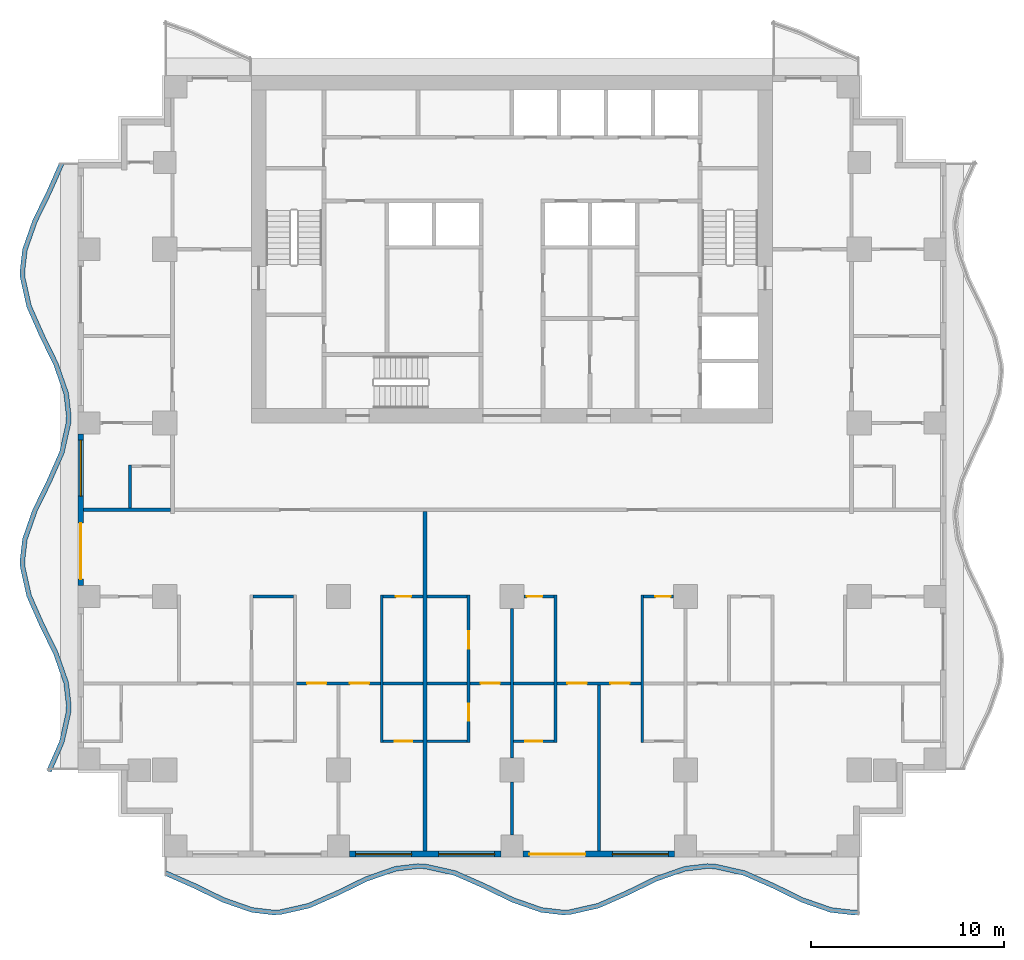
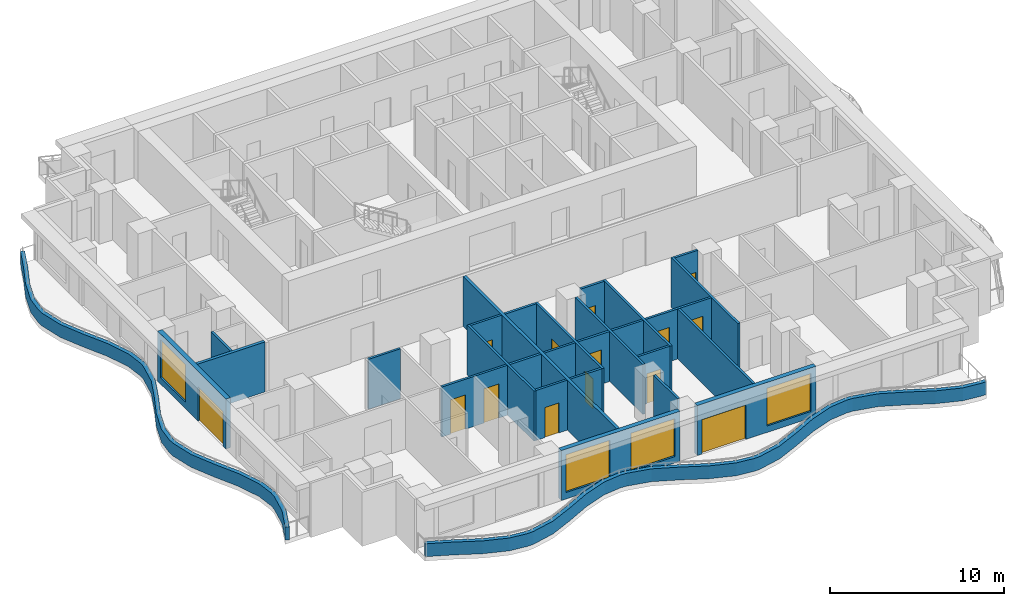
# One storey, part 2 of 10: 29 walls, 14 doors, 4 windows, 18 openings.
"""IFC4 building model written with IfcOpenShell, lengths in metres."""

from ifc_helpers import new_model, si_unit, direction, frame, frame_2d, origin, place, context, subcontext, project, spatial, polyline, rectangle, outline, extrude, material, layer, layer_set, type_object, element, fill, save


model = new_model("IFC4")

# Units and contexts
model_context = context("Model", 3, precision=1e-05, world=origin(), true_north=direction((0.0, 1.0)))
body_context = subcontext(model_context, "Body", "Model", "MODEL_VIEW")
ifc_project = project(units=[si_unit("LENGTHUNIT", "METRE"), si_unit("AREAUNIT", "SQUARE_METRE"), si_unit("VOLUMEUNIT", "CUBIC_METRE"), si_unit("PLANEANGLEUNIT", "RADIAN"), si_unit("MASSUNIT", "GRAM", prefix="KILO")], contexts=[model_context])

# Site, building, storey
site_placement = place(None, origin())
site = spatial("IfcSite", under=ifc_project, at=site_placement, CompositionType="ELEMENT")
building_placement = place(site_placement, origin())
building = spatial("IfcBuilding", under=site, at=building_placement, Name="Orbiselva Terraces", CompositionType="ELEMENT")
storey_placement = place(building_placement, frame((0.0, 0.0, 140.2)))
storey = spatial("IfcBuildingStorey", under=building, at=storey_placement, Name="L35", CompositionType="ELEMENT", Elevation=140.2)

# Walls
ifc_material_1 = material(Name="Concrete C40/50", Category="concrete")
ifc_layer_1 = layer(ifc_material_1, 0.25)
ifc_layer_set_1 = layer_set([ifc_layer_1], Name="Concrete C40/50")
wall_type_1 = type_object("IfcWallType", Name="ENV-PLANTER-250x900", PredefinedType="USERDEFINED", material=ifc_layer_set_1)
wall_1_placement = place(storey_placement, origin())
element("IfcWall", 1, at=wall_1_placement, inside=storey, type_object=wall_type_1, Name="Balcony planter L35 S", ObjectType="PLANTER", PredefinedType="USERDEFINED", context=body_context, shape_type="SweptSolid", body=[
    extrude(outline(polyline([(-18.0, -18.951472), (-16.5, -19.612279), (-15.0, -20.344789), (-13.5, -20.869208), (-12.375, -21.0), (-12.0, -20.985226), (-10.5, -20.648528), (-9.0, -19.987721), (-7.5, -19.255211), (-6.0, -18.730792), (-4.875, -18.6), (-4.5, -18.614774), (-3.0, -18.951472), (-1.5, -19.612279), (0.0, -20.344789), (1.5, -20.869208), (2.625, -21.0), (3.0, -20.985226), (4.5, -20.648528), (6.0, -19.987721), (7.5, -19.255211), (9.0, -18.730792), (10.125, -18.6), (10.5, -18.614774), (12.0, -18.951472), (13.5, -19.612279), (15.0, -20.344789), (16.5, -20.869208), (17.625, -21.0), (18.0, -20.985226), (17.990158, -20.73542), (17.634572, -20.749429), (16.556371, -20.624078), (15.09644, -20.113667), (13.605286, -19.385477), (12.078508, -18.712874), (10.532565, -18.365863), (10.115428, -18.349429), (8.943629, -18.485662), (7.40356, -19.024089), (5.894714, -19.760919), (4.421492, -20.40993), (2.967435, -20.736315), (2.634572, -20.749429), (1.556371, -20.624078), (0.09644, -20.113667), (-1.394714, -19.385477), (-2.921492, -18.712874), (-4.467435, -18.365863), (-4.884572, -18.349429), (-6.056371, -18.485662), (-7.59644, -19.024089), (-9.105286, -19.760919), (-10.578508, -20.40993), (-12.032565, -20.736315), (-12.365428, -20.749429), (-13.443629, -20.624078), (-14.90356, -20.113667), (-16.394714, -19.385477), (-17.899212, -18.722689), (-18.0, -18.951472)])), origin(), (0.0, 0.0, 1.0), 0.9),
])
wall_2_placement = place(storey_placement, origin())
element("IfcWall", 2, at=wall_2_placement, inside=storey, type_object=wall_type_1, Name="Balcony planter L35 W", ObjectType="PLANTER", PredefinedType="USERDEFINED", context=body_context, shape_type="SweptSolid", body=[
    extrude(outline(polyline([(-23.451472, 18.0), (-24.112279, 16.5), (-24.844789, 15.0), (-25.369208, 13.5), (-25.5, 12.375), (-25.485226, 12.0), (-25.148528, 10.5), (-24.487721, 9.0), (-23.755211, 7.5), (-23.230792, 6.0), (-23.1, 4.875), (-23.114774, 4.5), (-23.451472, 3.0), (-24.112279, 1.5), (-24.844789, 0.0), (-25.369208, -1.5), (-25.5, -2.625), (-25.485226, -3.0), (-25.148528, -4.5), (-24.487721, -6.0), (-23.755211, -7.5), (-23.230792, -9.0), (-23.1, -10.125), (-23.114774, -10.5), (-23.451472, -12.0), (-24.112279, -13.5), (-23.883496, -13.600788), (-23.212874, -12.078508), (-22.865863, -10.532565), (-22.849429, -10.115428), (-22.985662, -8.943629), (-23.524089, -7.40356), (-24.260919, -5.894714), (-24.90993, -4.421492), (-25.236315, -2.967435), (-25.249429, -2.634572), (-25.124078, -1.556371), (-24.613667, -0.09644), (-23.885477, 1.394714), (-23.212874, 2.921492), (-22.865863, 4.467435), (-22.849429, 4.884572), (-22.985662, 6.056371), (-23.524089, 7.59644), (-24.260919, 9.105286), (-24.90993, 10.578508), (-25.236315, 12.032565), (-25.249429, 12.365428), (-25.124078, 13.443629), (-24.613667, 14.90356), (-23.885477, 16.394714), (-23.222689, 17.899212), (-23.451472, 18.0)])), origin(), (0.0, 0.0, 1.0), 0.9),
])

# Wall, openings, windows
ifc_material_2 = material(Name="Terracotta cladding on masonry backing", Category="masonry")
ifc_layer_2 = layer(ifc_material_2, 0.3)
ifc_layer_set_2 = layer_set([ifc_layer_2], Name="Terracotta cladding on masonry backing")
wall_type_2 = type_object("IfcWallType", Name="ENV-WALL-TERRACOTTA-300", PredefinedType="SOLIDWALL", material=ifc_layer_set_2)
wall_3_placement = place(storey_placement, frame((-0.575, -17.85, 0.0), z_axis=(0.0, 0.0, 1.0), x_axis=(-1.0, 0.0, 0.0)))
wall_3 = element("IfcWall", 3, at=wall_3_placement, inside=storey, type_object=wall_type_2, Name="Facade wall L35 S", PredefinedType="SOLIDWALL", context=body_context, shape_type="SweptSolid", body=[
    extrude(rectangle(XDim=7.85, YDim=0.3, at=frame_2d((3.925, 0.0))), origin(), (0.0, 0.0, 1.0), 3.5),
])
opening_1_placement = place(wall_3_placement, frame((4.625, 0.0, 0.45)))
opening_1 = element("IfcOpeningElement", 4, at=opening_1_placement, cuts=wall_3, Name="Opening WN8", PredefinedType="OPENING", context=body_context, shape_type="SweptSolid", body=[
    extrude(rectangle(XDim=2.9, YDim=2.65, at=frame_2d((1.45, 1.325))), frame((0.0, 0.16, 0.0), z_axis=(0.0, -1.0, 0.0), x_axis=(1.0, 0.0, 0.0)), (0.0, 0.0, 1.0), 0.32),
])
opening_2_placement = place(wall_3_placement, frame((0.325, 0.0, 0.45)))
opening_2 = element("IfcOpeningElement", 5, at=opening_2_placement, cuts=wall_3, Name="Opening WN8", PredefinedType="OPENING", context=body_context, shape_type="SweptSolid", body=[
    extrude(rectangle(XDim=2.9, YDim=2.65, at=frame_2d((1.45, 1.325))), frame((0.0, 0.16, 0.0), z_axis=(0.0, -1.0, 0.0), x_axis=(1.0, 0.0, 0.0)), (0.0, 0.0, 1.0), 0.32),
])
ifc_material_3 = material(Name="Clear low-e glazing in aluminium frame", Category="aluminium")
window_type = type_object("IfcWindowType", Name="WINDOW 2900 X 2650 S450", PartitioningType="TRIPLE_PANEL_VERTICAL", PredefinedType="WINDOW", material=ifc_material_3)
window_1_placement = place(opening_1_placement, origin())
window_1 = element("IfcWindow", 6, at=window_1_placement, inside=storey, type_object=window_type, Name="Window L35 S", OverallHeight=2.65, OverallWidth=2.9, PartitioningType="SINGLE_PANEL", PredefinedType="WINDOW", context=body_context, shape_type="SweptSolid", body=[
    extrude(rectangle(XDim=2.9, YDim=2.65, at=frame_2d((1.45, 1.325))), frame((0.0, 0.03, 0.0), z_axis=(0.0, -1.0, 0.0), x_axis=(1.0, 0.0, 0.0)), (0.0, 0.0, 1.0), 0.06),
])
fill(opening_1, window_1)
window_2_placement = place(opening_2_placement, origin())
window_2 = element("IfcWindow", 7, at=window_2_placement, inside=storey, type_object=window_type, Name="Window L35 S", OverallHeight=2.65, OverallWidth=2.9, PartitioningType="SINGLE_PANEL", PredefinedType="WINDOW", context=body_context, shape_type="SweptSolid", body=[
    extrude(rectangle(XDim=2.9, YDim=2.65, at=frame_2d((1.45, 1.325))), frame((0.0, 0.03, 0.0), z_axis=(0.0, -1.0, 0.0), x_axis=(1.0, 0.0, 0.0)), (0.0, 0.0, 1.0), 0.06),
])
fill(opening_2, window_2)

# Wall, openings, door, window
wall_4_placement = place(storey_placement, frame((8.425, -17.85, 0.0), z_axis=(0.0, 0.0, 1.0), x_axis=(-1.0, 0.0, 0.0)))
wall_4 = element("IfcWall", 8, at=wall_4_placement, inside=storey, type_object=wall_type_2, Name="Facade wall L35 S", PredefinedType="SOLIDWALL", context=body_context, shape_type="SweptSolid", body=[
    extrude(rectangle(XDim=7.85, YDim=0.3, at=frame_2d((3.925, 0.0))), origin(), (0.0, 0.0, 1.0), 3.5),
])
opening_3_placement = place(wall_4_placement, frame((4.625, 0.0, 0.0)))
opening_3 = element("IfcOpeningElement", 9, at=opening_3_placement, cuts=wall_4, Name="Opening Z3-B-E02", PredefinedType="OPENING", context=body_context, shape_type="SweptSolid", body=[
    extrude(rectangle(XDim=2.9, YDim=2.4, at=frame_2d((1.45, 1.2))), frame((0.0, 0.16, 0.0), z_axis=(0.0, -1.0, 0.0), x_axis=(1.0, 0.0, 0.0)), (0.0, 0.0, 1.0), 0.32),
])
opening_4_placement = place(wall_4_placement, frame((0.325, 0.0, 0.45)))
opening_4 = element("IfcOpeningElement", 10, at=opening_4_placement, cuts=wall_4, Name="Opening WN8", PredefinedType="OPENING", context=body_context, shape_type="SweptSolid", body=[
    extrude(rectangle(XDim=2.9, YDim=2.65, at=frame_2d((1.45, 1.325))), frame((0.0, 0.16, 0.0), z_axis=(0.0, -1.0, 0.0), x_axis=(1.0, 0.0, 0.0)), (0.0, 0.0, 1.0), 0.32),
])
door_type_1 = type_object("IfcDoorType", Name="BALCONY DOOR 2900 X 2400", OperationType="DOUBLE_DOOR_SLIDING", PredefinedType="DOOR", material=ifc_material_3)
door_1_placement = place(opening_3_placement, origin())
door_1 = element("IfcDoor", 11, at=door_1_placement, inside=storey, type_object=door_type_1, Name="Z3-B-E02", OperationType="SINGLE_SWING_LEFT", OverallHeight=2.4, OverallWidth=2.9, PredefinedType="DOOR", context=body_context, shape_type="SweptSolid", body=[
    extrude(rectangle(XDim=2.9, YDim=2.4, at=frame_2d((1.45, 1.2))), frame((0.0, 0.025, 0.0), z_axis=(0.0, -1.0, 0.0), x_axis=(1.0, 0.0, 0.0)), (0.0, 0.0, 1.0), 0.05),
])
fill(opening_3, door_1)
window_3_placement = place(opening_4_placement, origin())
window_3 = element("IfcWindow", 12, at=window_3_placement, inside=storey, type_object=window_type, Name="Window L35 S", OverallHeight=2.65, OverallWidth=2.9, PartitioningType="SINGLE_PANEL", PredefinedType="WINDOW", context=body_context, shape_type="SweptSolid", body=[
    extrude(rectangle(XDim=2.9, YDim=2.65, at=frame_2d((1.45, 1.325))), frame((0.0, 0.03, 0.0), z_axis=(0.0, -1.0, 0.0), x_axis=(1.0, 0.0, 0.0)), (0.0, 0.0, 1.0), 0.06),
])
fill(opening_4, window_3)

wall_5_placement = place(storey_placement, frame((-22.35, -3.925, 0.0), z_axis=(0.0, 0.0, 1.0), x_axis=(0.0, 1.0, 0.0)))
wall_5 = element("IfcWall", 13, at=wall_5_placement, inside=storey, type_object=wall_type_2, Name="Facade wall L35 W", PredefinedType="SOLIDWALL", context=body_context, shape_type="SweptSolid", body=[
    extrude(rectangle(XDim=7.85, YDim=0.3, at=frame_2d((3.925, 0.0))), origin(), (0.0, 0.0, 1.0), 3.5),
])
opening_5_placement = place(wall_5_placement, frame((4.625, 0.0, 0.45)))
opening_5 = element("IfcOpeningElement", 14, at=opening_5_placement, cuts=wall_5, Name="Opening WN8", PredefinedType="OPENING", context=body_context, shape_type="SweptSolid", body=[
    extrude(rectangle(XDim=2.9, YDim=2.65, at=frame_2d((1.45, 1.325))), frame((0.0, 0.16, 0.0), z_axis=(0.0, -1.0, 0.0), x_axis=(1.0, 0.0, 0.0)), (0.0, 0.0, 1.0), 0.32),
])
opening_6_placement = place(wall_5_placement, frame((0.325, 0.0, 0.0)))
opening_6 = element("IfcOpeningElement", 15, at=opening_6_placement, cuts=wall_5, Name="Opening Z3-B-E10", PredefinedType="OPENING", context=body_context, shape_type="SweptSolid", body=[
    extrude(rectangle(XDim=2.9, YDim=2.4, at=frame_2d((1.45, 1.2))), frame((0.0, 0.16, 0.0), z_axis=(0.0, -1.0, 0.0), x_axis=(1.0, 0.0, 0.0)), (0.0, 0.0, 1.0), 0.32),
])
door_2_placement = place(opening_6_placement, origin())
door_2 = element("IfcDoor", 16, at=door_2_placement, inside=storey, type_object=door_type_1, Name="Z3-B-E10", OperationType="SINGLE_SWING_LEFT", OverallHeight=2.4, OverallWidth=2.9, PredefinedType="DOOR", context=body_context, shape_type="SweptSolid", body=[
    extrude(rectangle(XDim=2.9, YDim=2.4, at=frame_2d((1.45, 1.2))), frame((0.0, 0.025, 0.0), z_axis=(0.0, -1.0, 0.0), x_axis=(1.0, 0.0, 0.0)), (0.0, 0.0, 1.0), 0.05),
])
fill(opening_6, door_2)
window_4_placement = place(opening_5_placement, origin())
window_4 = element("IfcWindow", 17, at=window_4_placement, inside=storey, type_object=window_type, Name="Window L35 W", OverallHeight=2.65, OverallWidth=2.9, PartitioningType="SINGLE_PANEL", PredefinedType="WINDOW", context=body_context, shape_type="SweptSolid", body=[
    extrude(rectangle(XDim=2.9, YDim=2.65, at=frame_2d((1.45, 1.325))), frame((0.0, 0.03, 0.0), z_axis=(0.0, -1.0, 0.0), x_axis=(1.0, 0.0, 0.0)), (0.0, 0.0, 1.0), 0.06),
])
fill(opening_5, window_4)

# Wall, opening, door
ifc_material_4 = material(Name="Plasterboard on steel stud partition", Category="steel")
ifc_layer_3 = layer(ifc_material_4, 0.15)
ifc_layer_set_3 = layer_set([ifc_layer_3], Name="Plasterboard on steel stud partition")
wall_type_3 = type_object("IfcWallType", Name="UNIT-PARTITION-150", PredefinedType="PARTITIONING", material=ifc_layer_set_3)
wall_6_placement = place(storey_placement, frame((-6.675, -12.0, 0.0), z_axis=(0.0, 0.0, 1.0), x_axis=(1.0, 0.0, 0.0)))
wall_6 = element("IfcWall", 18, at=wall_6_placement, inside=storey, type_object=wall_type_3, Name="PARTITION L35-003", PredefinedType="PARTITIONING", context=body_context, shape_type="SweptSolid", body=[
    extrude(rectangle(XDim=2.075, YDim=0.15, at=frame_2d((1.0375, 0.0))), origin(), (0.0, 0.0, 1.0), 3.5),
])
opening_7_placement = place(wall_6_placement, frame((0.6, 0.0, 0.0)))
opening_7 = element("IfcOpeningElement", 19, at=opening_7_placement, cuts=wall_6, Name="Opening Z3-B-22", PredefinedType="OPENING", context=body_context, shape_type="SweptSolid", body=[
    extrude(rectangle(XDim=0.9, YDim=2.1, at=frame_2d((0.45, 1.05))), frame((0.0, 0.085, 0.0), z_axis=(0.0, -1.0, 0.0), x_axis=(1.0, 0.0, 0.0)), (0.0, 0.0, 1.0), 0.17),
])
ifc_material_5 = material(Name="Painted timber door leaf", Category="wood")
door_type_2 = type_object("IfcDoorType", Name="BATH DOOR 900", OperationType="NOTDEFINED", PredefinedType="DOOR", material=ifc_material_5)
door_3_placement = place(opening_7_placement, origin())
door_3 = element("IfcDoor", 20, at=door_3_placement, inside=storey, type_object=door_type_2, Name="Z3-B-22", OperationType="SINGLE_SWING_RIGHT", OverallHeight=2.1, OverallWidth=0.9, PredefinedType="DOOR", context=body_context, shape_type="SweptSolid", body=[
    extrude(rectangle(XDim=0.9, YDim=2.1, at=frame_2d((0.45, 1.05))), frame((0.0, 0.025, 0.0), z_axis=(0.0, -1.0, 0.0), x_axis=(1.0, 0.0, 0.0)), (0.0, 0.0, 1.0), 0.05),
])
fill(opening_7, door_3)

# Wall
wall_7_placement = place(storey_placement, frame((-4.4, -12.0, 0.0), z_axis=(0.0, 0.0, 1.0), x_axis=(1.0, 0.0, 0.0)))
element("IfcWall", 21, at=wall_7_placement, inside=storey, type_object=wall_type_3, Name="PARTITION L35-004", PredefinedType="PARTITIONING", context=body_context, shape_type="SweptSolid", body=[
    extrude(rectangle(XDim=2.075, YDim=0.15, at=frame_2d((1.0375, 0.0))), origin(), (0.0, 0.0, 1.0), 3.5),
])

# Wall, opening, door
wall_8_placement = place(storey_placement, frame((0.075, -12.0, 0.0), z_axis=(0.0, 0.0, 1.0), x_axis=(1.0, 0.0, 0.0)))
wall_8 = element("IfcWall", 22, at=wall_8_placement, inside=storey, type_object=wall_type_3, Name="PARTITION L35-005", PredefinedType="PARTITIONING", context=body_context, shape_type="SweptSolid", body=[
    extrude(rectangle(XDim=2.1, YDim=0.15, at=frame_2d((1.05, 0.0))), origin(), (0.0, 0.0, 1.0), 3.5),
])
opening_8_placement = place(wall_8_placement, frame((0.6, 0.0, 0.0)))
opening_8 = element("IfcOpeningElement", 23, at=opening_8_placement, cuts=wall_8, Name="Opening Z3-B-32", PredefinedType="OPENING", context=body_context, shape_type="SweptSolid", body=[
    extrude(rectangle(XDim=0.9, YDim=2.1, at=frame_2d((0.45, 1.05))), frame((0.0, 0.085, 0.0), z_axis=(0.0, -1.0, 0.0), x_axis=(1.0, 0.0, 0.0)), (0.0, 0.0, 1.0), 0.17),
])
door_4_placement = place(opening_8_placement, origin())
door_4 = element("IfcDoor", 24, at=door_4_placement, inside=storey, type_object=door_type_2, Name="Z3-B-32", OperationType="SINGLE_SWING_RIGHT", OverallHeight=2.1, OverallWidth=0.9, PredefinedType="DOOR", context=body_context, shape_type="SweptSolid", body=[
    extrude(rectangle(XDim=0.9, YDim=2.1, at=frame_2d((0.45, 1.05))), frame((0.0, 0.025, 0.0), z_axis=(0.0, -1.0, 0.0), x_axis=(1.0, 0.0, 0.0)), (0.0, 0.0, 1.0), 0.05),
])
fill(opening_8, door_4)

# Wall, openings, doors
wall_9_placement = place(storey_placement, frame((-6.825, -9.0, 0.0), z_axis=(0.0, 0.0, 1.0), x_axis=(-1.0, 0.0, 0.0)))
wall_9 = element("IfcWall", 25, at=wall_9_placement, inside=storey, type_object=wall_type_3, Name="PARTITION L35-010", PredefinedType="PARTITIONING", context=body_context, shape_type="SweptSolid", body=[
    extrude(rectangle(XDim=4.35, YDim=0.15, at=frame_2d((2.175, 0.0))), origin(), (0.0, 0.0, 1.0), 3.5),
])
opening_9_placement = place(wall_9_placement, frame((2.8, 0.0, 0.0)))
opening_9 = element("IfcOpeningElement", 26, at=opening_9_placement, cuts=wall_9, Name="Opening Z3-B-19", PredefinedType="OPENING", context=body_context, shape_type="SweptSolid", body=[
    extrude(rectangle(XDim=1.0, YDim=2.4, at=frame_2d((0.5, 1.2))), frame((0.0, 0.085, 0.0), z_axis=(0.0, -1.0, 0.0), x_axis=(1.0, 0.0, 0.0)), (0.0, 0.0, 1.0), 0.17),
])
opening_10_placement = place(wall_9_placement, frame((0.575, 0.0, 0.0)))
opening_10 = element("IfcOpeningElement", 27, at=opening_10_placement, cuts=wall_9, Name="Opening Z3-B-21", PredefinedType="OPENING", context=body_context, shape_type="SweptSolid", body=[
    extrude(rectangle(XDim=1.0, YDim=2.4, at=frame_2d((0.5, 1.2))), frame((0.0, 0.085, 0.0), z_axis=(0.0, -1.0, 0.0), x_axis=(1.0, 0.0, 0.0)), (0.0, 0.0, 1.0), 0.17),
])
door_type_3 = type_object("IfcDoorType", Name="ROOM DOOR 1000", OperationType="NOTDEFINED", PredefinedType="DOOR", material=ifc_material_5)
door_5_placement = place(opening_9_placement, origin())
door_5 = element("IfcDoor", 28, at=door_5_placement, inside=storey, type_object=door_type_3, Name="Z3-B-19", OperationType="SINGLE_SWING_RIGHT", OverallHeight=2.4, OverallWidth=1.0, PredefinedType="DOOR", context=body_context, shape_type="SweptSolid", body=[
    extrude(rectangle(XDim=1.0, YDim=2.4, at=frame_2d((0.5, 1.2))), frame((0.0, 0.025, 0.0), z_axis=(0.0, -1.0, 0.0), x_axis=(1.0, 0.0, 0.0)), (0.0, 0.0, 1.0), 0.05),
])
fill(opening_9, door_5)
door_6_placement = place(opening_10_placement, origin())
door_6 = element("IfcDoor", 29, at=door_6_placement, inside=storey, type_object=door_type_3, Name="Z3-B-21", OperationType="SINGLE_SWING_LEFT", OverallHeight=2.4, OverallWidth=1.0, PredefinedType="DOOR", context=body_context, shape_type="SweptSolid", body=[
    extrude(rectangle(XDim=1.0, YDim=2.4, at=frame_2d((0.5, 1.2))), frame((0.0, 0.025, 0.0), z_axis=(0.0, -1.0, 0.0), x_axis=(1.0, 0.0, 0.0)), (0.0, 0.0, 1.0), 0.05),
])
fill(opening_10, door_6)

# Walls
for number, where, z_axis, x_axis, name in (
    (30, (-6.675, -9.0, 0.0), (0.0, 0.0, 1.0), (1.0, 0.0, 0.0), "PARTITION L35-011"),
    (31, (-4.4, -9.0, 0.0), (0.0, 0.0, 1.0), (1.0, 0.0, 0.0), "PARTITION L35-012"),
):
    element("IfcWall", number, at=place(storey_placement, frame(where, z_axis=z_axis, x_axis=x_axis)), inside=storey, type_object=wall_type_3, Name=name, PredefinedType="PARTITIONING", context=body_context, shape_type="SweptSolid", body=[
        extrude(rectangle(XDim=2.075, YDim=0.15, at=frame_2d((1.0375, 0.0))), origin(), (0.0, 0.0, 1.0), 3.5),
    ])

# Wall, opening, door
wall_10_placement = place(storey_placement, frame((-0.075, -9.0, 0.0), z_axis=(0.0, 0.0, 1.0), x_axis=(-1.0, 0.0, 0.0)))
wall_10 = element("IfcWall", 32, at=wall_10_placement, inside=storey, type_object=wall_type_3, Name="PARTITION L35-013", PredefinedType="PARTITIONING", context=body_context, shape_type="SweptSolid", body=[
    extrude(rectangle(XDim=2.1, YDim=0.15, at=frame_2d((1.05, 0.0))), origin(), (0.0, 0.0, 1.0), 3.5),
])
opening_11_placement = place(wall_10_placement, frame((0.55, 0.0, 0.0)))
opening_11 = element("IfcOpeningElement", 33, at=opening_11_placement, cuts=wall_10, Name="Opening Z3-B-29", PredefinedType="OPENING", context=body_context, shape_type="SweptSolid", body=[
    extrude(rectangle(XDim=1.0, YDim=2.4, at=frame_2d((0.5, 1.2))), frame((0.0, 0.085, 0.0), z_axis=(0.0, -1.0, 0.0), x_axis=(1.0, 0.0, 0.0)), (0.0, 0.0, 1.0), 0.17),
])
door_7_placement = place(opening_11_placement, origin())
door_7 = element("IfcDoor", 34, at=door_7_placement, inside=storey, type_object=door_type_3, Name="Z3-B-29", OperationType="SINGLE_SWING_RIGHT", OverallHeight=2.4, OverallWidth=1.0, PredefinedType="DOOR", context=body_context, shape_type="SweptSolid", body=[
    extrude(rectangle(XDim=1.0, YDim=2.4, at=frame_2d((0.5, 1.2))), frame((0.0, 0.025, 0.0), z_axis=(0.0, -1.0, 0.0), x_axis=(1.0, 0.0, 0.0)), (0.0, 0.0, 1.0), 0.05),
])
fill(opening_11, door_7)

# Wall
wall_11_placement = place(storey_placement, frame((0.075, -9.0, 0.0), z_axis=(0.0, 0.0, 1.0), x_axis=(1.0, 0.0, 0.0)))
element("IfcWall", 35, at=wall_11_placement, inside=storey, type_object=wall_type_3, Name="PARTITION L35-014", PredefinedType="PARTITIONING", context=body_context, shape_type="SweptSolid", body=[
    extrude(rectangle(XDim=2.1, YDim=0.15, at=frame_2d((1.05, 0.0))), origin(), (0.0, 0.0, 1.0), 3.5),
])

# Wall, openings, doors
wall_12_placement = place(storey_placement, frame((6.675, -9.0, 0.0), z_axis=(0.0, 0.0, 1.0), x_axis=(-1.0, 0.0, 0.0)))
wall_12 = element("IfcWall", 36, at=wall_12_placement, inside=storey, type_object=wall_type_3, Name="PARTITION L35-015", PredefinedType="PARTITIONING", context=body_context, shape_type="SweptSolid", body=[
    extrude(rectangle(XDim=4.35, YDim=0.15, at=frame_2d((2.175, 0.0))), origin(), (0.0, 0.0, 1.0), 3.5),
])
opening_12_placement = place(wall_12_placement, frame((2.8, 0.0, 0.0)))
opening_12 = element("IfcOpeningElement", 37, at=opening_12_placement, cuts=wall_12, Name="Opening Z3-B-31", PredefinedType="OPENING", context=body_context, shape_type="SweptSolid", body=[
    extrude(rectangle(XDim=1.0, YDim=2.4, at=frame_2d((0.5, 1.2))), frame((0.0, 0.085, 0.0), z_axis=(0.0, -1.0, 0.0), x_axis=(1.0, 0.0, 0.0)), (0.0, 0.0, 1.0), 0.17),
])
opening_13_placement = place(wall_12_placement, frame((0.575, 0.0, 0.0)))
opening_13 = element("IfcOpeningElement", 38, at=opening_13_placement, cuts=wall_12, Name="Opening Z3-B-33", PredefinedType="OPENING", context=body_context, shape_type="SweptSolid", body=[
    extrude(rectangle(XDim=1.0, YDim=2.4, at=frame_2d((0.5, 1.2))), frame((0.0, 0.085, 0.0), z_axis=(0.0, -1.0, 0.0), x_axis=(1.0, 0.0, 0.0)), (0.0, 0.0, 1.0), 0.17),
])
door_8_placement = place(opening_12_placement, origin())
door_8 = element("IfcDoor", 39, at=door_8_placement, inside=storey, type_object=door_type_3, Name="Z3-B-31", OperationType="SINGLE_SWING_RIGHT", OverallHeight=2.4, OverallWidth=1.0, PredefinedType="DOOR", context=body_context, shape_type="SweptSolid", body=[
    extrude(rectangle(XDim=1.0, YDim=2.4, at=frame_2d((0.5, 1.2))), frame((0.0, 0.025, 0.0), z_axis=(0.0, -1.0, 0.0), x_axis=(1.0, 0.0, 0.0)), (0.0, 0.0, 1.0), 0.05),
])
fill(opening_12, door_8)
door_9_placement = place(opening_13_placement, origin())
door_9 = element("IfcDoor", 40, at=door_9_placement, inside=storey, type_object=door_type_3, Name="Z3-B-33", OperationType="SINGLE_SWING_LEFT", OverallHeight=2.4, OverallWidth=1.0, PredefinedType="DOOR", context=body_context, shape_type="SweptSolid", body=[
    extrude(rectangle(XDim=1.0, YDim=2.4, at=frame_2d((0.5, 1.2))), frame((0.0, 0.025, 0.0), z_axis=(0.0, -1.0, 0.0), x_axis=(1.0, 0.0, 0.0)), (0.0, 0.0, 1.0), 0.05),
])
fill(opening_13, door_9)

# Wall
wall_13_placement = place(storey_placement, frame((-13.425, -4.5, 0.0), z_axis=(0.0, 0.0, 1.0), x_axis=(1.0, 0.0, 0.0)))
element("IfcWall", 41, at=wall_13_placement, inside=storey, type_object=wall_type_3, Name="PARTITION L35-020", PredefinedType="PARTITIONING", context=body_context, shape_type="SweptSolid", body=[
    extrude(rectangle(XDim=2.1, YDim=0.15, at=frame_2d((1.05, 0.0))), origin(), (0.0, 0.0, 1.0), 3.5),
])

# Wall, opening, door
wall_14_placement = place(storey_placement, frame((-4.6, -4.5, 0.0), z_axis=(0.0, 0.0, 1.0), x_axis=(-1.0, 0.0, 0.0)))
wall_14 = element("IfcWall", 42, at=wall_14_placement, inside=storey, type_object=wall_type_3, Name="PARTITION L35-021", PredefinedType="PARTITIONING", context=body_context, shape_type="SweptSolid", body=[
    extrude(rectangle(XDim=2.075, YDim=0.15, at=frame_2d((1.0375, 0.0))), origin(), (0.0, 0.0, 1.0), 3.5),
])
opening_14_placement = place(wall_14_placement, frame((0.625, 0.0, 0.0)))
opening_14 = element("IfcOpeningElement", 43, at=opening_14_placement, cuts=wall_14, Name="Opening Z3-B-16", PredefinedType="OPENING", context=body_context, shape_type="SweptSolid", body=[
    extrude(rectangle(XDim=0.8, YDim=2.0, at=frame_2d((0.4, 1.0))), frame((0.0, 0.085, 0.0), z_axis=(0.0, -1.0, 0.0), x_axis=(1.0, 0.0, 0.0)), (0.0, 0.0, 1.0), 0.17),
])
door_type_4 = type_object("IfcDoorType", Name="STORE DOOR 800", OperationType="NOTDEFINED", PredefinedType="DOOR", material=ifc_material_5)
door_10_placement = place(opening_14_placement, origin())
door_10 = element("IfcDoor", 44, at=door_10_placement, inside=storey, type_object=door_type_4, Name="Z3-B-16", OperationType="SINGLE_SWING_LEFT", OverallHeight=2.0, OverallWidth=0.8, PredefinedType="DOOR", context=body_context, shape_type="SweptSolid", body=[
    extrude(rectangle(XDim=0.8, YDim=2.0, at=frame_2d((0.4, 1.0))), frame((0.0, 0.025, 0.0), z_axis=(0.0, -1.0, 0.0), x_axis=(1.0, 0.0, 0.0)), (0.0, 0.0, 1.0), 0.05),
])
fill(opening_14, door_10)

# Wall
wall_15_placement = place(storey_placement, frame((-4.4, -4.5, 0.0), z_axis=(0.0, 0.0, 1.0), x_axis=(1.0, 0.0, 0.0)))
element("IfcWall", 45, at=wall_15_placement, inside=storey, type_object=wall_type_3, Name="PARTITION L35-022", PredefinedType="PARTITIONING", context=body_context, shape_type="SweptSolid", body=[
    extrude(rectangle(XDim=2.075, YDim=0.15, at=frame_2d((1.0375, 0.0))), origin(), (0.0, 0.0, 1.0), 3.5),
])

# Wall, opening, door
wall_16_placement = place(storey_placement, frame((2.175, -4.5, 0.0), z_axis=(0.0, 0.0, 1.0), x_axis=(-1.0, 0.0, 0.0)))
wall_16 = element("IfcWall", 46, at=wall_16_placement, inside=storey, type_object=wall_type_3, Name="PARTITION L35-023", PredefinedType="PARTITIONING", context=body_context, shape_type="SweptSolid", body=[
    extrude(rectangle(XDim=1.55, YDim=0.15, at=frame_2d((0.775, 0.0))), origin(), (0.0, 0.0, 1.0), 3.5),
])
opening_15_placement = place(wall_16_placement, frame((0.6, 0.0, 0.0)))
opening_15 = element("IfcOpeningElement", 47, at=opening_15_placement, cuts=wall_16, Name="Opening Z3-B-25", PredefinedType="OPENING", context=body_context, shape_type="SweptSolid", body=[
    extrude(rectangle(XDim=0.8, YDim=2.0, at=frame_2d((0.4, 1.0))), frame((0.0, 0.085, 0.0), z_axis=(0.0, -1.0, 0.0), x_axis=(1.0, 0.0, 0.0)), (0.0, 0.0, 1.0), 0.17),
])
door_11_placement = place(opening_15_placement, origin())
door_11 = element("IfcDoor", 48, at=door_11_placement, inside=storey, type_object=door_type_4, Name="Z3-B-25", OperationType="SINGLE_SWING_RIGHT", OverallHeight=2.0, OverallWidth=0.8, PredefinedType="DOOR", context=body_context, shape_type="SweptSolid", body=[
    extrude(rectangle(XDim=0.8, YDim=2.0, at=frame_2d((0.4, 1.0))), frame((0.0, 0.025, 0.0), z_axis=(0.0, -1.0, 0.0), x_axis=(1.0, 0.0, 0.0)), (0.0, 0.0, 1.0), 0.05),
])
fill(opening_15, door_11)

wall_17_placement = place(storey_placement, frame((8.375, -4.5, 0.0), z_axis=(0.0, 0.0, 1.0), x_axis=(-1.0, 0.0, 0.0)))
wall_17 = element("IfcWall", 49, at=wall_17_placement, inside=storey, type_object=wall_type_3, Name="PARTITION L35-024", PredefinedType="PARTITIONING", context=body_context, shape_type="SweptSolid", body=[
    extrude(rectangle(XDim=1.55, YDim=0.15, at=frame_2d((0.775, 0.0))), origin(), (0.0, 0.0, 1.0), 3.5),
])
opening_16_placement = place(wall_17_placement, frame((0.15, 0.0, 0.0)))
opening_16 = element("IfcOpeningElement", 50, at=opening_16_placement, cuts=wall_17, Name="Opening Z3-B-26", PredefinedType="OPENING", context=body_context, shape_type="SweptSolid", body=[
    extrude(rectangle(XDim=0.8, YDim=2.0, at=frame_2d((0.4, 1.0))), frame((0.0, 0.085, 0.0), z_axis=(0.0, -1.0, 0.0), x_axis=(1.0, 0.0, 0.0)), (0.0, 0.0, 1.0), 0.17),
])
door_12_placement = place(opening_16_placement, origin())
door_12 = element("IfcDoor", 51, at=door_12_placement, inside=storey, type_object=door_type_4, Name="Z3-B-26", OperationType="SINGLE_SWING_LEFT", OverallHeight=2.0, OverallWidth=0.8, PredefinedType="DOOR", context=body_context, shape_type="SweptSolid", body=[
    extrude(rectangle(XDim=0.8, YDim=2.0, at=frame_2d((0.4, 1.0))), frame((0.0, 0.025, 0.0), z_axis=(0.0, -1.0, 0.0), x_axis=(1.0, 0.0, 0.0)), (0.0, 0.0, 1.0), 0.05),
])
fill(opening_16, door_12)

# Walls
wall_18_placement = place(storey_placement, frame((-19.805, 0.1, 0.0), z_axis=(0.0, 0.0, 1.0), x_axis=(0.0, 1.0, 0.0)))
element("IfcWall", 52, at=wall_18_placement, inside=storey, type_object=wall_type_3, Name="PARTITION L35-041", PredefinedType="PARTITIONING", context=body_context, shape_type="SweptSolid", body=[
    extrude(rectangle(XDim=2.225, YDim=0.15, at=frame_2d((1.1125, 0.0))), origin(), (0.0, 0.0, 1.0), 3.5),
])
wall_19_placement = place(storey_placement, frame((-6.75, -12.075, 0.0), z_axis=(0.0, 0.0, 1.0), x_axis=(0.0, 1.0, 0.0)))
element("IfcWall", 53, at=wall_19_placement, inside=storey, type_object=wall_type_3, Name="PARTITION L35-051", PredefinedType="PARTITIONING", context=body_context, shape_type="SweptSolid", body=[
    extrude(rectangle(XDim=7.65, YDim=0.15, at=frame_2d((3.825, 0.0))), origin(), (0.0, 0.0, 1.0), 3.5),
])

# Wall, openings, doors
wall_20_placement = place(storey_placement, frame((-2.25, -12.075, 0.0), z_axis=(0.0, 0.0, 1.0), x_axis=(0.0, 1.0, 0.0)))
wall_20 = element("IfcWall", 54, at=wall_20_placement, inside=storey, type_object=wall_type_3, Name="PARTITION L35-053", PredefinedType="PARTITIONING", context=body_context, shape_type="SweptSolid", body=[
    extrude(rectangle(XDim=7.65, YDim=0.15, at=frame_2d((3.825, 0.0))), origin(), (0.0, 0.0, 1.0), 3.5),
])
opening_17_placement = place(wall_20_placement, frame((4.875, 0.0, 0.0)))
opening_17 = element("IfcOpeningElement", 55, at=opening_17_placement, cuts=wall_20, Name="Opening Z3-B-24", PredefinedType="OPENING", context=body_context, shape_type="SweptSolid", body=[
    extrude(rectangle(XDim=0.9, YDim=2.1, at=frame_2d((0.45, 1.05))), frame((0.0, 0.085, 0.0), z_axis=(0.0, -1.0, 0.0), x_axis=(1.0, 0.0, 0.0)), (0.0, 0.0, 1.0), 0.17),
])
opening_18_placement = place(wall_20_placement, frame((1.125, 0.0, 0.0)))
opening_18 = element("IfcOpeningElement", 56, at=opening_18_placement, cuts=wall_20, Name="Opening Z3-B-30", PredefinedType="OPENING", context=body_context, shape_type="SweptSolid", body=[
    extrude(rectangle(XDim=0.9, YDim=2.1, at=frame_2d((0.45, 1.05))), frame((0.0, 0.085, 0.0), z_axis=(0.0, -1.0, 0.0), x_axis=(1.0, 0.0, 0.0)), (0.0, 0.0, 1.0), 0.17),
])
door_13_placement = place(opening_17_placement, origin())
door_13 = element("IfcDoor", 57, at=door_13_placement, inside=storey, type_object=door_type_2, Name="Z3-B-24", OperationType="SINGLE_SWING_RIGHT", OverallHeight=2.1, OverallWidth=0.9, PredefinedType="DOOR", context=body_context, shape_type="SweptSolid", body=[
    extrude(rectangle(XDim=0.9, YDim=2.1, at=frame_2d((0.45, 1.05))), frame((0.0, 0.025, 0.0), z_axis=(0.0, -1.0, 0.0), x_axis=(1.0, 0.0, 0.0)), (0.0, 0.0, 1.0), 0.05),
])
fill(opening_17, door_13)
door_14_placement = place(opening_18_placement, origin())
door_14 = element("IfcDoor", 58, at=door_14_placement, inside=storey, type_object=door_type_2, Name="Z3-B-30", OperationType="SINGLE_SWING_LEFT", OverallHeight=2.1, OverallWidth=0.9, PredefinedType="DOOR", context=body_context, shape_type="SweptSolid", body=[
    extrude(rectangle(XDim=0.9, YDim=2.1, at=frame_2d((0.45, 1.05))), frame((0.0, 0.025, 0.0), z_axis=(0.0, -1.0, 0.0), x_axis=(1.0, 0.0, 0.0)), (0.0, 0.0, 1.0), 0.05),
])
fill(opening_18, door_14)

# Walls
wall_21_placement = place(storey_placement, frame((0.0, -16.85, 0.0), z_axis=(0.0, 0.0, 1.0), x_axis=(0.0, 1.0, 0.0)))
element("IfcWall", 59, at=wall_21_placement, inside=storey, type_object=wall_type_3, Name="PARTITION L35-054", PredefinedType="PARTITIONING", context=body_context, shape_type="SweptSolid", body=[
    extrude(rectangle(XDim=2.725, YDim=0.15, at=frame_2d((1.3625, 0.0))), origin(), (0.0, 0.0, 1.0), 3.5),
])
wall_22_placement = place(storey_placement, frame((0.0, -12.875, 0.0), z_axis=(0.0, 0.0, 1.0), x_axis=(0.0, 1.0, 0.0)))
element("IfcWall", 60, at=wall_22_placement, inside=storey, type_object=wall_type_3, Name="PARTITION L35-055", PredefinedType="PARTITIONING", context=body_context, shape_type="SweptSolid", body=[
    extrude(rectangle(XDim=7.75, YDim=0.15, at=frame_2d((3.875, 0.0))), origin(), (0.0, 0.0, 1.0), 3.5),
])
wall_23_placement = place(storey_placement, frame((2.25, -12.075, 0.0), z_axis=(0.0, 0.0, 1.0), x_axis=(0.0, 1.0, 0.0)))
element("IfcWall", 61, at=wall_23_placement, inside=storey, type_object=wall_type_3, Name="PARTITION L35-056", PredefinedType="PARTITIONING", context=body_context, shape_type="SweptSolid", body=[
    extrude(rectangle(XDim=7.65, YDim=0.15, at=frame_2d((3.825, 0.0))), origin(), (0.0, 0.0, 1.0), 3.5),
])
wall_24_placement = place(storey_placement, frame((4.5, -17.7, 0.0), z_axis=(0.0, 0.0, 1.0), x_axis=(0.0, 1.0, 0.0)))
element("IfcWall", 62, at=wall_24_placement, inside=storey, type_object=wall_type_3, Name="PARTITION L35-057", PredefinedType="PARTITIONING", context=body_context, shape_type="SweptSolid", body=[
    extrude(rectangle(XDim=8.625, YDim=0.15, at=frame_2d((4.3125, 0.0))), origin(), (0.0, 0.0, 1.0), 3.5),
])
wall_25_placement = place(storey_placement, frame((6.75, -12.075, 0.0), z_axis=(0.0, 0.0, 1.0), x_axis=(0.0, 1.0, 0.0)))
element("IfcWall", 63, at=wall_25_placement, inside=storey, type_object=wall_type_3, Name="PARTITION L35-058", PredefinedType="PARTITIONING", context=body_context, shape_type="SweptSolid", body=[
    extrude(rectangle(XDim=7.65, YDim=0.15, at=frame_2d((3.825, 0.0))), origin(), (0.0, 0.0, 1.0), 3.5),
])
ifc_layer_4 = layer(ifc_material_4, 0.2)
ifc_layer_set_4 = layer_set([ifc_layer_4], Name="Plasterboard on steel stud partition")
wall_type_4 = type_object("IfcWallType", Name="UNIT-PARTY-WALL-200", PredefinedType="PARTITIONING", material=ifc_layer_set_4)
wall_26_placement = place(storey_placement, frame((-22.2, 0.0, 0.0), z_axis=(0.0, 0.0, 1.0), x_axis=(1.0, 0.0, 0.0)))
element("IfcWall", 64, at=wall_26_placement, inside=storey, type_object=wall_type_4, Name="PARTITION L35-028", PredefinedType="PARTITIONING", context=body_context, shape_type="SweptSolid", body=[
    extrude(rectangle(XDim=4.5, YDim=0.2, at=frame_2d((2.25, 0.0))), origin(), (0.0, 0.0, 1.0), 3.5),
])
wall_27_placement = place(storey_placement, frame((-4.5, -17.7, 0.0), z_axis=(0.0, 0.0, 1.0), x_axis=(0.0, 1.0, 0.0)))
element("IfcWall", 65, at=wall_27_placement, inside=storey, type_object=wall_type_4, Name="PARTITION L35-052", PredefinedType="PARTITIONING", context=body_context, shape_type="SweptSolid", body=[
    extrude(rectangle(XDim=17.6, YDim=0.2, at=frame_2d((8.8, 0.0))), origin(), (0.0, 0.0, 1.0), 3.5),
])

save(model, "model.ifc")
